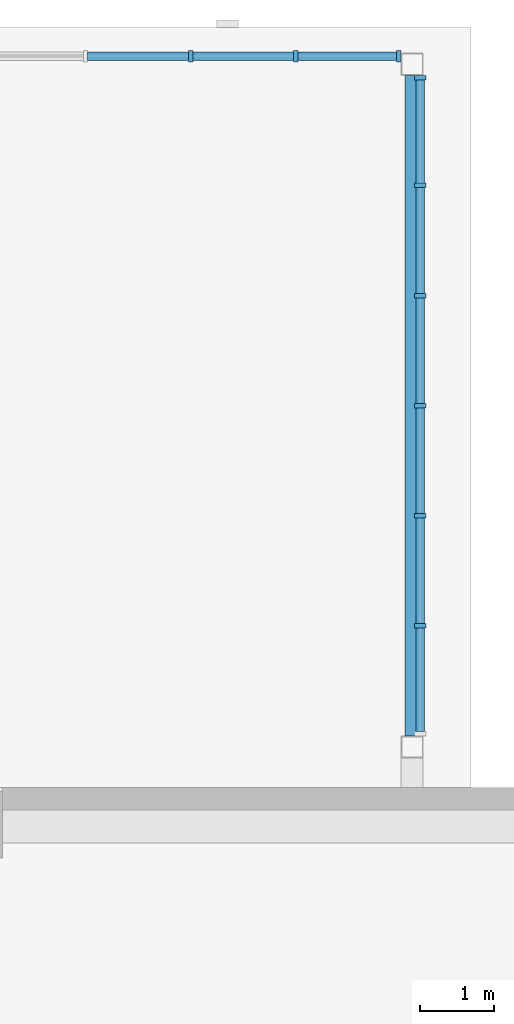
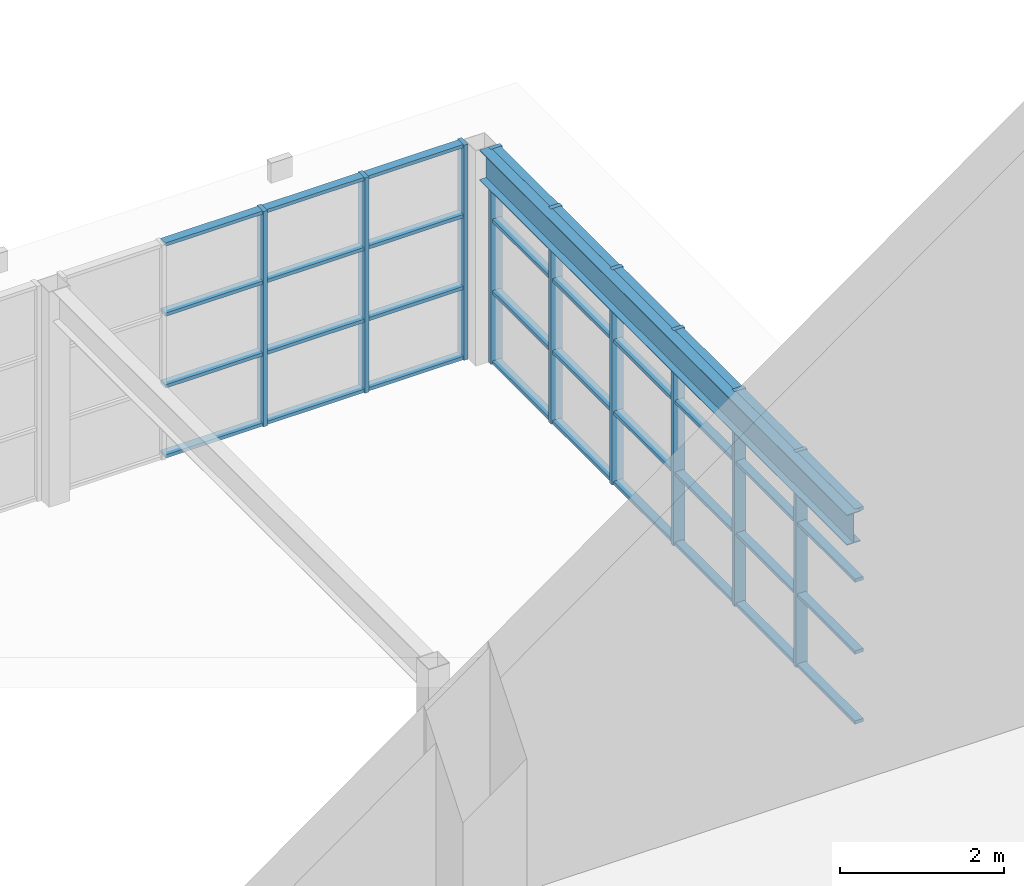
# One storey, part 61 of 182: 45 members, 1 beam, 2 elements without a shape of their own.
"""IFC4 building model written with IfcOpenShell, lengths in metres."""

from ifc_helpers import new_model, si_unit, direction, frame, origin, origin_2d, place, context, subcontext, project, spatial, rectangle, i_section, extrude, material, material_profile, profile_set, type_object, element, aggregate, save


model = new_model("IFC4")

# Units and contexts
model_context = context("Model", 3, precision=1e-05, world=origin(), true_north=direction((0.0, 1.0)))
body_context = subcontext(model_context, "Body", "Model", "MODEL_VIEW")
ifc_project = project(units=[si_unit("LENGTHUNIT", "METRE"), si_unit("AREAUNIT", "SQUARE_METRE"), si_unit("VOLUMEUNIT", "CUBIC_METRE"), si_unit("PLANEANGLEUNIT", "RADIAN"), si_unit("MASSUNIT", "GRAM", prefix="KILO")], contexts=[model_context])

# Site, building, storey
site_placement = place(None, origin())
site = spatial("IfcSite", under=ifc_project, at=site_placement, CompositionType="ELEMENT")
building_placement = place(site_placement, origin())
building = spatial("IfcBuilding", under=site, at=building_placement, Name="Silverbay Arena", CompositionType="ELEMENT")
storey_placement = place(building_placement, frame((0.0, 0.0, 11.5)))
storey = spatial("IfcBuildingStorey", under=building, at=storey_placement, Name="L02", CompositionType="ELEMENT", Elevation=11.5)

# Beam
ifc_material_1 = material(Name="Steel S355", Category="steel")
ifc_material_profile_1 = material_profile(ifc_material_1, i_section(OverallWidth=0.18994140625, OverallDepth=0.453369140625, WebThickness=0.008544921875, FlangeThickness=0.0126953125, at=origin_2d()), Name="UB 457x191x67")
ifc_profile_set_1 = profile_set([ifc_material_profile_1], Name="Steel S355")
beam_type = type_object("IfcBeamType", Name="Hall beam UB 457x191x67", PredefinedType="BEAM", material=ifc_profile_set_1)
beam_placement = place(storey_placement, frame((141.0, 145.199951171875, 2.973388671875), z_axis=(0.0, 1.0, 0.0), x_axis=(-1.0, 0.0, 0.0)))
element("IfcBeam", 1, at=beam_placement, inside=storey, type_object=beam_type, Name="North entrance hall N1 transverse beam 4R", PredefinedType="BEAM", context=body_context, shape_type="SweptSolid", body=[
    extrude(i_section(OverallWidth=0.18994140625, OverallDepth=0.453369140625, WebThickness=0.008544921875, FlangeThickness=0.0126953125, at=origin_2d()), origin(), (0.0, 0.0, 1.0), 8.949951171875),
])

# Curtain wall, members
ifc_material_2 = material(Name="Aluminium framed curtain wall", Category="aluminium")
curtain_wall_type_1 = type_object("IfcCurtainWallType", Name="Curtain wall 5700 x 3200", PredefinedType="NOTDEFINED", material=ifc_material_2)
curtain_wall_1_placement = place(storey_placement, origin())
curtain_wall_1 = element("IfcCurtainWall", 2, at=curtain_wall_1_placement, inside=storey, type_object=curtain_wall_type_1, Name="North entrance hall N1 glazing F2", PredefinedType="NOTDEFINED")
ifc_material_3 = material(Name="Aluminium", Category="aluminium")
ifc_material_profile_2 = material_profile(ifc_material_3, rectangle(XDim=0.159912109375, YDim=0.06005859375, at=origin_2d()), Name="Mullion 60 x 160")
ifc_profile_set_2 = profile_set([ifc_material_profile_2], Name="Aluminium")
member_type_1 = type_object("IfcMemberType", Name="Mullion 60 x 160", PredefinedType="MULLION", material=ifc_profile_set_2)
member_1_placement = place(storey_placement, frame((138.0, 154.409912109375, 0.0), z_axis=(0.0, 0.0, 1.0), x_axis=(0.0, 1.0, 0.0)))
member_1 = element("IfcMember", 3, at=member_1_placement, type_object=member_type_1, Name="CW43 mullion 3", PredefinedType="MULLION", context=body_context, shape_type="SweptSolid", body=[
    extrude(rectangle(XDim=0.159912109375, YDim=0.06005859375, at=origin_2d()), origin(), (0.0, 0.0, 1.0), 3.199951171875),
])
member_2_placement = place(storey_placement, frame((139.425048828125, 154.409912109375, 0.0), z_axis=(0.0, 0.0, 1.0), x_axis=(0.0, 1.0, 0.0)))
member_2 = element("IfcMember", 4, at=member_2_placement, type_object=member_type_1, Name="CW43 mullion 4", PredefinedType="MULLION", context=body_context, shape_type="SweptSolid", body=[
    extrude(rectangle(XDim=0.159912109375, YDim=0.06005859375, at=origin_2d()), origin(), (0.0, 0.0, 1.0), 3.199951171875),
])
member_3_placement = place(storey_placement, frame((140.820068359375, 154.409912109375, 0.0), z_axis=(0.0, 0.0, 1.0), x_axis=(0.0, 1.0, 0.0)))
member_3 = element("IfcMember", 5, at=member_3_placement, type_object=member_type_1, Name="CW43 mullion 5", PredefinedType="MULLION", context=body_context, shape_type="SweptSolid", body=[
    extrude(rectangle(XDim=0.159912109375, YDim=0.06005859375, at=origin_2d()), origin(), (0.0, 0.0, 1.0), 3.199951171875),
])

ifc_material_4 = material(Name="Aluminium framed curtain wall", Category="aluminium")
curtain_wall_type_2 = type_object("IfcCurtainWallType", Name="Curtain wall 8950 x 3200", PredefinedType="NOTDEFINED", material=ifc_material_4)
curtain_wall_2_placement = place(storey_placement, origin())
curtain_wall_2 = element("IfcCurtainWall", 6, at=curtain_wall_2_placement, inside=storey, type_object=curtain_wall_type_2, Name="North entrance hall N1 glazing SB", PredefinedType="NOTDEFINED")
member_4_placement = place(storey_placement, frame((141.110107421875, 154.1201171875, 0.0), z_axis=(0.0, 0.0, 1.0), x_axis=(1.0, 0.0, 0.0)))
member_4 = element("IfcMember", 7, at=member_4_placement, type_object=member_type_1, Name="CW47 mullion 1", PredefinedType="MULLION", context=body_context, shape_type="SweptSolid", body=[
    extrude(rectangle(XDim=0.159912109375, YDim=0.06005859375, at=origin_2d()), origin(), (0.0, 0.0, 1.0), 3.199951171875),
])
member_5_placement = place(storey_placement, frame((141.110107421875, 152.658447265625, 0.0), z_axis=(0.0, 0.0, 1.0), x_axis=(1.0, 0.0, 0.0)))
member_5 = element("IfcMember", 8, at=member_5_placement, type_object=member_type_1, Name="CW47 mullion 2", PredefinedType="MULLION", context=body_context, shape_type="SweptSolid", body=[
    extrude(rectangle(XDim=0.159912109375, YDim=0.06005859375, at=origin_2d()), origin(), (0.0, 0.0, 1.0), 3.199951171875),
])
member_6_placement = place(storey_placement, frame((141.110107421875, 151.166748046875, 0.0), z_axis=(0.0, 0.0, 1.0), x_axis=(1.0, 0.0, 0.0)))
member_6 = element("IfcMember", 9, at=member_6_placement, type_object=member_type_1, Name="CW47 mullion 3", PredefinedType="MULLION", context=body_context, shape_type="SweptSolid", body=[
    extrude(rectangle(XDim=0.159912109375, YDim=0.06005859375, at=origin_2d()), origin(), (0.0, 0.0, 1.0), 3.199951171875),
])
member_7_placement = place(storey_placement, frame((141.110107421875, 149.675048828125, 0.0), z_axis=(0.0, 0.0, 1.0), x_axis=(1.0, 0.0, 0.0)))
member_7 = element("IfcMember", 10, at=member_7_placement, type_object=member_type_1, Name="CW47 mullion 4", PredefinedType="MULLION", context=body_context, shape_type="SweptSolid", body=[
    extrude(rectangle(XDim=0.159912109375, YDim=0.06005859375, at=origin_2d()), origin(), (0.0, 0.0, 1.0), 3.199951171875),
])
member_8_placement = place(storey_placement, frame((141.110107421875, 148.183349609375, 0.0), z_axis=(0.0, 0.0, 1.0), x_axis=(1.0, 0.0, 0.0)))
member_8 = element("IfcMember", 11, at=member_8_placement, type_object=member_type_1, Name="CW47 mullion 5", PredefinedType="MULLION", context=body_context, shape_type="SweptSolid", body=[
    extrude(rectangle(XDim=0.159912109375, YDim=0.06005859375, at=origin_2d()), origin(), (0.0, 0.0, 1.0), 3.199951171875),
])
member_9_placement = place(storey_placement, frame((141.110107421875, 146.691650390625, 0.0), z_axis=(0.0, 0.0, 1.0), x_axis=(1.0, 0.0, 0.0)))
member_9 = element("IfcMember", 12, at=member_9_placement, type_object=member_type_1, Name="CW47 mullion 6", PredefinedType="MULLION", context=body_context, shape_type="SweptSolid", body=[
    extrude(rectangle(XDim=0.159912109375, YDim=0.06005859375, at=origin_2d()), origin(), (0.0, 0.0, 1.0), 3.199951171875),
])

# Member
ifc_material_5 = material(Name="Aluminium", Category="aluminium")
ifc_material_profile_3 = material_profile(ifc_material_5, rectangle(XDim=0.1201171875, YDim=0.050048828125, at=origin_2d()), Name="Transom 50 x 120")
ifc_profile_set_3 = profile_set([ifc_material_profile_3], Name="Aluminium")
member_type_2 = type_object("IfcMemberType", Name="Transom 50 x 120", PredefinedType="USERDEFINED", material=ifc_profile_set_3)
member_10_placement = place(storey_placement, frame((136.60498046875, 154.409912109375, 0.02490234375), z_axis=(1.0, 0.0, 0.0), x_axis=(0.0, 1.0, 0.0)))
member_10 = element("IfcMember", 13, at=member_10_placement, type_object=member_type_2, Name="CW43 transom 2.1", ObjectType="TRANSOM", PredefinedType="USERDEFINED", context=body_context, shape_type="SweptSolid", body=[
    extrude(rectangle(XDim=0.1201171875, YDim=0.050048828125, at=origin_2d()), origin(), (0.0, 0.0, 1.0), 1.364990234375),
])

member_11_placement = place(storey_placement, frame((136.60498046875, 154.409912109375, 1.066650390625), z_axis=(1.0, 0.0, 0.0), x_axis=(0.0, 1.0, 0.0)))
member_11 = element("IfcMember", 14, at=member_11_placement, type_object=member_type_2, Name="CW43 transom 2.2", ObjectType="TRANSOM", PredefinedType="USERDEFINED", context=body_context, shape_type="SweptSolid", body=[
    extrude(rectangle(XDim=0.1201171875, YDim=0.050048828125, at=origin_2d()), origin(), (0.0, 0.0, 1.0), 1.364990234375),
])

member_12_placement = place(storey_placement, frame((136.60498046875, 154.409912109375, 2.13330078125), z_axis=(1.0, 0.0, 0.0), x_axis=(0.0, 1.0, 0.0)))
member_12 = element("IfcMember", 15, at=member_12_placement, type_object=member_type_2, Name="CW43 transom 2.3", ObjectType="TRANSOM", PredefinedType="USERDEFINED", context=body_context, shape_type="SweptSolid", body=[
    extrude(rectangle(XDim=0.1201171875, YDim=0.050048828125, at=origin_2d()), origin(), (0.0, 0.0, 1.0), 1.364990234375),
])

member_13_placement = place(storey_placement, frame((136.60498046875, 154.409912109375, 3.175048828125), z_axis=(1.0, 0.0, 0.0), x_axis=(0.0, 1.0, 0.0)))
member_13 = element("IfcMember", 16, at=member_13_placement, type_object=member_type_2, Name="CW43 transom 2.4", ObjectType="TRANSOM", PredefinedType="USERDEFINED", context=body_context, shape_type="SweptSolid", body=[
    extrude(rectangle(XDim=0.1201171875, YDim=0.050048828125, at=origin_2d()), origin(), (0.0, 0.0, 1.0), 1.364990234375),
])

member_14_placement = place(storey_placement, frame((138.030029296875, 154.409912109375, 0.02490234375), z_axis=(1.0, 0.0, 0.0), x_axis=(0.0, 1.0, 0.0)))
member_14 = element("IfcMember", 17, at=member_14_placement, type_object=member_type_2, Name="CW43 transom 3.1", ObjectType="TRANSOM", PredefinedType="USERDEFINED", context=body_context, shape_type="SweptSolid", body=[
    extrude(rectangle(XDim=0.1201171875, YDim=0.050048828125, at=origin_2d()), origin(), (0.0, 0.0, 1.0), 1.364990234375),
])

member_15_placement = place(storey_placement, frame((138.030029296875, 154.409912109375, 1.066650390625), z_axis=(1.0, 0.0, 0.0), x_axis=(0.0, 1.0, 0.0)))
member_15 = element("IfcMember", 18, at=member_15_placement, type_object=member_type_2, Name="CW43 transom 3.2", ObjectType="TRANSOM", PredefinedType="USERDEFINED", context=body_context, shape_type="SweptSolid", body=[
    extrude(rectangle(XDim=0.1201171875, YDim=0.050048828125, at=origin_2d()), origin(), (0.0, 0.0, 1.0), 1.364990234375),
])

member_16_placement = place(storey_placement, frame((138.030029296875, 154.409912109375, 2.13330078125), z_axis=(1.0, 0.0, 0.0), x_axis=(0.0, 1.0, 0.0)))
member_16 = element("IfcMember", 19, at=member_16_placement, type_object=member_type_2, Name="CW43 transom 3.3", ObjectType="TRANSOM", PredefinedType="USERDEFINED", context=body_context, shape_type="SweptSolid", body=[
    extrude(rectangle(XDim=0.1201171875, YDim=0.050048828125, at=origin_2d()), origin(), (0.0, 0.0, 1.0), 1.364990234375),
])

member_17_placement = place(storey_placement, frame((138.030029296875, 154.409912109375, 3.175048828125), z_axis=(1.0, 0.0, 0.0), x_axis=(0.0, 1.0, 0.0)))
member_17 = element("IfcMember", 20, at=member_17_placement, type_object=member_type_2, Name="CW43 transom 3.4", ObjectType="TRANSOM", PredefinedType="USERDEFINED", context=body_context, shape_type="SweptSolid", body=[
    extrude(rectangle(XDim=0.1201171875, YDim=0.050048828125, at=origin_2d()), origin(), (0.0, 0.0, 1.0), 1.364990234375),
])

member_18_placement = place(storey_placement, frame((139.455078125, 154.409912109375, 0.02490234375), z_axis=(1.0, 0.0, 0.0), x_axis=(0.0, 1.0, 0.0)))
member_18 = element("IfcMember", 21, at=member_18_placement, type_object=member_type_2, Name="CW43 transom 4.1", ObjectType="TRANSOM", PredefinedType="USERDEFINED", context=body_context, shape_type="SweptSolid", body=[
    extrude(rectangle(XDim=0.1201171875, YDim=0.050048828125, at=origin_2d()), origin(), (0.0, 0.0, 1.0), 1.3349609375),
])

member_19_placement = place(storey_placement, frame((139.455078125, 154.409912109375, 1.066650390625), z_axis=(1.0, 0.0, 0.0), x_axis=(0.0, 1.0, 0.0)))
member_19 = element("IfcMember", 22, at=member_19_placement, type_object=member_type_2, Name="CW43 transom 4.2", ObjectType="TRANSOM", PredefinedType="USERDEFINED", context=body_context, shape_type="SweptSolid", body=[
    extrude(rectangle(XDim=0.1201171875, YDim=0.050048828125, at=origin_2d()), origin(), (0.0, 0.0, 1.0), 1.3349609375),
])

member_20_placement = place(storey_placement, frame((139.455078125, 154.409912109375, 2.13330078125), z_axis=(1.0, 0.0, 0.0), x_axis=(0.0, 1.0, 0.0)))
member_20 = element("IfcMember", 23, at=member_20_placement, type_object=member_type_2, Name="CW43 transom 4.3", ObjectType="TRANSOM", PredefinedType="USERDEFINED", context=body_context, shape_type="SweptSolid", body=[
    extrude(rectangle(XDim=0.1201171875, YDim=0.050048828125, at=origin_2d()), origin(), (0.0, 0.0, 1.0), 1.3349609375),
])

member_21_placement = place(storey_placement, frame((139.455078125, 154.409912109375, 3.175048828125), z_axis=(1.0, 0.0, 0.0), x_axis=(0.0, 1.0, 0.0)))
member_21 = element("IfcMember", 24, at=member_21_placement, type_object=member_type_2, Name="CW43 transom 4.4", ObjectType="TRANSOM", PredefinedType="USERDEFINED", context=body_context, shape_type="SweptSolid", body=[
    extrude(rectangle(XDim=0.1201171875, YDim=0.050048828125, at=origin_2d()), origin(), (0.0, 0.0, 1.0), 1.3349609375),
])

aggregate(curtain_wall_1, [member_1, member_2, member_3, member_10, member_11, member_12, member_13, member_14, member_15, member_16, member_17, member_18, member_19, member_20, member_21])

member_22_placement = place(storey_placement, frame((141.110107421875, 154.090087890625, 0.02490234375), z_axis=(0.0, -1.0, 0.0), x_axis=(1.0, 0.0, 0.0)))
member_22 = element("IfcMember", 25, at=member_22_placement, type_object=member_type_2, Name="CW47 transom 1.1", ObjectType="TRANSOM", PredefinedType="USERDEFINED", context=body_context, shape_type="SweptSolid", body=[
    extrude(rectangle(XDim=0.1201171875, YDim=0.050048828125, at=origin_2d()), origin(), (0.0, 0.0, 1.0), 1.40185546875),
])

member_23_placement = place(storey_placement, frame((141.110107421875, 154.090087890625, 1.066650390625), z_axis=(0.0, -1.0, 0.0), x_axis=(1.0, 0.0, 0.0)))
member_23 = element("IfcMember", 26, at=member_23_placement, type_object=member_type_2, Name="CW47 transom 1.2", ObjectType="TRANSOM", PredefinedType="USERDEFINED", context=body_context, shape_type="SweptSolid", body=[
    extrude(rectangle(XDim=0.1201171875, YDim=0.050048828125, at=origin_2d()), origin(), (0.0, 0.0, 1.0), 1.40185546875),
])

member_24_placement = place(storey_placement, frame((141.110107421875, 154.090087890625, 2.13330078125), z_axis=(0.0, -1.0, 0.0), x_axis=(1.0, 0.0, 0.0)))
member_24 = element("IfcMember", 27, at=member_24_placement, type_object=member_type_2, Name="CW47 transom 1.3", ObjectType="TRANSOM", PredefinedType="USERDEFINED", context=body_context, shape_type="SweptSolid", body=[
    extrude(rectangle(XDim=0.1201171875, YDim=0.050048828125, at=origin_2d()), origin(), (0.0, 0.0, 1.0), 1.40185546875),
])

member_25_placement = place(storey_placement, frame((141.110107421875, 154.090087890625, 3.175048828125), z_axis=(0.0, -1.0, 0.0), x_axis=(1.0, 0.0, 0.0)))
member_25 = element("IfcMember", 28, at=member_25_placement, type_object=member_type_2, Name="CW47 transom 1.4", ObjectType="TRANSOM", PredefinedType="USERDEFINED", context=body_context, shape_type="SweptSolid", body=[
    extrude(rectangle(XDim=0.1201171875, YDim=0.050048828125, at=origin_2d()), origin(), (0.0, 0.0, 1.0), 1.40185546875),
])

member_26_placement = place(storey_placement, frame((141.110107421875, 152.62841796875, 0.02490234375), z_axis=(0.0, -1.0, 0.0), x_axis=(1.0, 0.0, 0.0)))
member_26 = element("IfcMember", 29, at=member_26_placement, type_object=member_type_2, Name="CW47 transom 2.1", ObjectType="TRANSOM", PredefinedType="USERDEFINED", context=body_context, shape_type="SweptSolid", body=[
    extrude(rectangle(XDim=0.1201171875, YDim=0.050048828125, at=origin_2d()), origin(), (0.0, 0.0, 1.0), 1.431640625),
])

member_27_placement = place(storey_placement, frame((141.110107421875, 152.62841796875, 1.066650390625), z_axis=(0.0, -1.0, 0.0), x_axis=(1.0, 0.0, 0.0)))
member_27 = element("IfcMember", 30, at=member_27_placement, type_object=member_type_2, Name="CW47 transom 2.2", ObjectType="TRANSOM", PredefinedType="USERDEFINED", context=body_context, shape_type="SweptSolid", body=[
    extrude(rectangle(XDim=0.1201171875, YDim=0.050048828125, at=origin_2d()), origin(), (0.0, 0.0, 1.0), 1.431640625),
])

member_28_placement = place(storey_placement, frame((141.110107421875, 152.62841796875, 2.13330078125), z_axis=(0.0, -1.0, 0.0), x_axis=(1.0, 0.0, 0.0)))
member_28 = element("IfcMember", 31, at=member_28_placement, type_object=member_type_2, Name="CW47 transom 2.3", ObjectType="TRANSOM", PredefinedType="USERDEFINED", context=body_context, shape_type="SweptSolid", body=[
    extrude(rectangle(XDim=0.1201171875, YDim=0.050048828125, at=origin_2d()), origin(), (0.0, 0.0, 1.0), 1.431640625),
])

member_29_placement = place(storey_placement, frame((141.110107421875, 152.62841796875, 3.175048828125), z_axis=(0.0, -1.0, 0.0), x_axis=(1.0, 0.0, 0.0)))
member_29 = element("IfcMember", 32, at=member_29_placement, type_object=member_type_2, Name="CW47 transom 2.4", ObjectType="TRANSOM", PredefinedType="USERDEFINED", context=body_context, shape_type="SweptSolid", body=[
    extrude(rectangle(XDim=0.1201171875, YDim=0.050048828125, at=origin_2d()), origin(), (0.0, 0.0, 1.0), 1.431640625),
])

member_30_placement = place(storey_placement, frame((141.110107421875, 151.13671875, 0.02490234375), z_axis=(0.0, -1.0, 0.0), x_axis=(1.0, 0.0, 0.0)))
member_30 = element("IfcMember", 33, at=member_30_placement, type_object=member_type_2, Name="CW47 transom 3.1", ObjectType="TRANSOM", PredefinedType="USERDEFINED", context=body_context, shape_type="SweptSolid", body=[
    extrude(rectangle(XDim=0.1201171875, YDim=0.050048828125, at=origin_2d()), origin(), (0.0, 0.0, 1.0), 1.431640625),
])

member_31_placement = place(storey_placement, frame((141.110107421875, 151.13671875, 1.066650390625), z_axis=(0.0, -1.0, 0.0), x_axis=(1.0, 0.0, 0.0)))
member_31 = element("IfcMember", 34, at=member_31_placement, type_object=member_type_2, Name="CW47 transom 3.2", ObjectType="TRANSOM", PredefinedType="USERDEFINED", context=body_context, shape_type="SweptSolid", body=[
    extrude(rectangle(XDim=0.1201171875, YDim=0.050048828125, at=origin_2d()), origin(), (0.0, 0.0, 1.0), 1.431640625),
])

member_32_placement = place(storey_placement, frame((141.110107421875, 151.13671875, 2.13330078125), z_axis=(0.0, -1.0, 0.0), x_axis=(1.0, 0.0, 0.0)))
member_32 = element("IfcMember", 35, at=member_32_placement, type_object=member_type_2, Name="CW47 transom 3.3", ObjectType="TRANSOM", PredefinedType="USERDEFINED", context=body_context, shape_type="SweptSolid", body=[
    extrude(rectangle(XDim=0.1201171875, YDim=0.050048828125, at=origin_2d()), origin(), (0.0, 0.0, 1.0), 1.431640625),
])

member_33_placement = place(storey_placement, frame((141.110107421875, 151.13671875, 3.175048828125), z_axis=(0.0, -1.0, 0.0), x_axis=(1.0, 0.0, 0.0)))
member_33 = element("IfcMember", 36, at=member_33_placement, type_object=member_type_2, Name="CW47 transom 3.4", ObjectType="TRANSOM", PredefinedType="USERDEFINED", context=body_context, shape_type="SweptSolid", body=[
    extrude(rectangle(XDim=0.1201171875, YDim=0.050048828125, at=origin_2d()), origin(), (0.0, 0.0, 1.0), 1.431640625),
])

member_34_placement = place(storey_placement, frame((141.110107421875, 149.64501953125, 0.02490234375), z_axis=(0.0, -1.0, 0.0), x_axis=(1.0, 0.0, 0.0)))
member_34 = element("IfcMember", 37, at=member_34_placement, type_object=member_type_2, Name="CW47 transom 4.1", ObjectType="TRANSOM", PredefinedType="USERDEFINED", context=body_context, shape_type="SweptSolid", body=[
    extrude(rectangle(XDim=0.1201171875, YDim=0.050048828125, at=origin_2d()), origin(), (0.0, 0.0, 1.0), 1.431640625),
])

member_35_placement = place(storey_placement, frame((141.110107421875, 149.64501953125, 1.066650390625), z_axis=(0.0, -1.0, 0.0), x_axis=(1.0, 0.0, 0.0)))
member_35 = element("IfcMember", 38, at=member_35_placement, type_object=member_type_2, Name="CW47 transom 4.2", ObjectType="TRANSOM", PredefinedType="USERDEFINED", context=body_context, shape_type="SweptSolid", body=[
    extrude(rectangle(XDim=0.1201171875, YDim=0.050048828125, at=origin_2d()), origin(), (0.0, 0.0, 1.0), 1.431640625),
])

member_36_placement = place(storey_placement, frame((141.110107421875, 149.64501953125, 2.13330078125), z_axis=(0.0, -1.0, 0.0), x_axis=(1.0, 0.0, 0.0)))
member_36 = element("IfcMember", 39, at=member_36_placement, type_object=member_type_2, Name="CW47 transom 4.3", ObjectType="TRANSOM", PredefinedType="USERDEFINED", context=body_context, shape_type="SweptSolid", body=[
    extrude(rectangle(XDim=0.1201171875, YDim=0.050048828125, at=origin_2d()), origin(), (0.0, 0.0, 1.0), 1.431640625),
])

member_37_placement = place(storey_placement, frame((141.110107421875, 149.64501953125, 3.175048828125), z_axis=(0.0, -1.0, 0.0), x_axis=(1.0, 0.0, 0.0)))
member_37 = element("IfcMember", 40, at=member_37_placement, type_object=member_type_2, Name="CW47 transom 4.4", ObjectType="TRANSOM", PredefinedType="USERDEFINED", context=body_context, shape_type="SweptSolid", body=[
    extrude(rectangle(XDim=0.1201171875, YDim=0.050048828125, at=origin_2d()), origin(), (0.0, 0.0, 1.0), 1.431640625),
])

member_38_placement = place(storey_placement, frame((141.110107421875, 148.1533203125, 0.02490234375), z_axis=(0.0, -1.0, 0.0), x_axis=(1.0, 0.0, 0.0)))
member_38 = element("IfcMember", 41, at=member_38_placement, type_object=member_type_2, Name="CW47 transom 5.1", ObjectType="TRANSOM", PredefinedType="USERDEFINED", context=body_context, shape_type="SweptSolid", body=[
    extrude(rectangle(XDim=0.1201171875, YDim=0.050048828125, at=origin_2d()), origin(), (0.0, 0.0, 1.0), 1.431640625),
])

member_39_placement = place(storey_placement, frame((141.110107421875, 148.1533203125, 1.066650390625), z_axis=(0.0, -1.0, 0.0), x_axis=(1.0, 0.0, 0.0)))
member_39 = element("IfcMember", 42, at=member_39_placement, type_object=member_type_2, Name="CW47 transom 5.2", ObjectType="TRANSOM", PredefinedType="USERDEFINED", context=body_context, shape_type="SweptSolid", body=[
    extrude(rectangle(XDim=0.1201171875, YDim=0.050048828125, at=origin_2d()), origin(), (0.0, 0.0, 1.0), 1.431640625),
])

member_40_placement = place(storey_placement, frame((141.110107421875, 148.1533203125, 2.13330078125), z_axis=(0.0, -1.0, 0.0), x_axis=(1.0, 0.0, 0.0)))
member_40 = element("IfcMember", 43, at=member_40_placement, type_object=member_type_2, Name="CW47 transom 5.3", ObjectType="TRANSOM", PredefinedType="USERDEFINED", context=body_context, shape_type="SweptSolid", body=[
    extrude(rectangle(XDim=0.1201171875, YDim=0.050048828125, at=origin_2d()), origin(), (0.0, 0.0, 1.0), 1.431640625),
])

member_41_placement = place(storey_placement, frame((141.110107421875, 148.1533203125, 3.175048828125), z_axis=(0.0, -1.0, 0.0), x_axis=(1.0, 0.0, 0.0)))
member_41 = element("IfcMember", 44, at=member_41_placement, type_object=member_type_2, Name="CW47 transom 5.4", ObjectType="TRANSOM", PredefinedType="USERDEFINED", context=body_context, shape_type="SweptSolid", body=[
    extrude(rectangle(XDim=0.1201171875, YDim=0.050048828125, at=origin_2d()), origin(), (0.0, 0.0, 1.0), 1.431640625),
])

member_42_placement = place(storey_placement, frame((141.110107421875, 146.66162109375, 0.02490234375), z_axis=(0.0, -1.0, 0.0), x_axis=(1.0, 0.0, 0.0)))
member_42 = element("IfcMember", 45, at=member_42_placement, type_object=member_type_2, Name="CW47 transom 6.1", ObjectType="TRANSOM", PredefinedType="USERDEFINED", context=body_context, shape_type="SweptSolid", body=[
    extrude(rectangle(XDim=0.1201171875, YDim=0.050048828125, at=origin_2d()), origin(), (0.0, 0.0, 1.0), 1.401611328125),
])

member_43_placement = place(storey_placement, frame((141.110107421875, 146.66162109375, 1.066650390625), z_axis=(0.0, -1.0, 0.0), x_axis=(1.0, 0.0, 0.0)))
member_43 = element("IfcMember", 46, at=member_43_placement, type_object=member_type_2, Name="CW47 transom 6.2", ObjectType="TRANSOM", PredefinedType="USERDEFINED", context=body_context, shape_type="SweptSolid", body=[
    extrude(rectangle(XDim=0.1201171875, YDim=0.050048828125, at=origin_2d()), origin(), (0.0, 0.0, 1.0), 1.401611328125),
])

member_44_placement = place(storey_placement, frame((141.110107421875, 146.66162109375, 2.13330078125), z_axis=(0.0, -1.0, 0.0), x_axis=(1.0, 0.0, 0.0)))
member_44 = element("IfcMember", 47, at=member_44_placement, type_object=member_type_2, Name="CW47 transom 6.3", ObjectType="TRANSOM", PredefinedType="USERDEFINED", context=body_context, shape_type="SweptSolid", body=[
    extrude(rectangle(XDim=0.1201171875, YDim=0.050048828125, at=origin_2d()), origin(), (0.0, 0.0, 1.0), 1.401611328125),
])

member_45_placement = place(storey_placement, frame((141.110107421875, 146.66162109375, 3.175048828125), z_axis=(0.0, -1.0, 0.0), x_axis=(1.0, 0.0, 0.0)))
member_45 = element("IfcMember", 48, at=member_45_placement, type_object=member_type_2, Name="CW47 transom 6.4", ObjectType="TRANSOM", PredefinedType="USERDEFINED", context=body_context, shape_type="SweptSolid", body=[
    extrude(rectangle(XDim=0.1201171875, YDim=0.050048828125, at=origin_2d()), origin(), (0.0, 0.0, 1.0), 1.401611328125),
])

aggregate(curtain_wall_2, [member_4, member_5, member_6, member_7, member_8, member_9, member_22, member_23, member_24, member_25, member_26, member_27, member_28, member_29, member_30, member_31, member_32, member_33, member_34, member_35, member_36, member_37, member_38, member_39, member_40, member_41, member_42, member_43, member_44, member_45])

save(model, "model.ifc")
